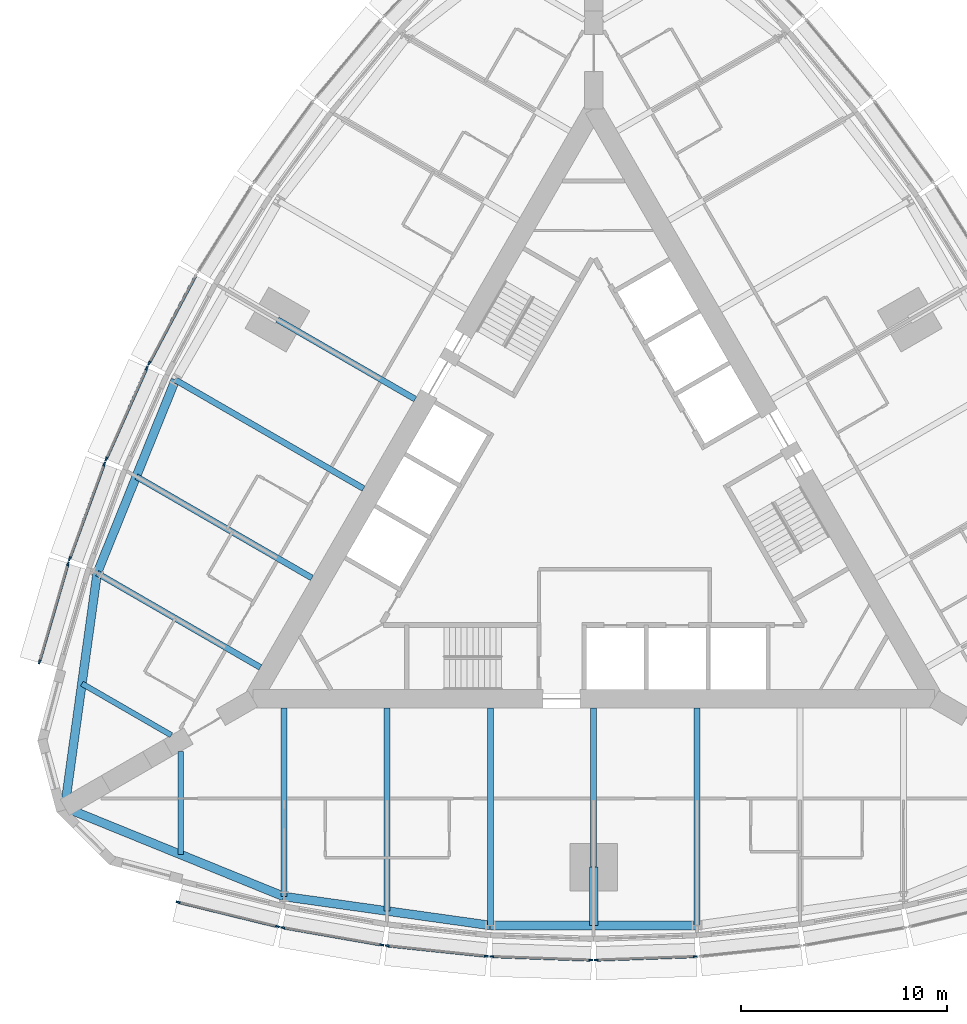
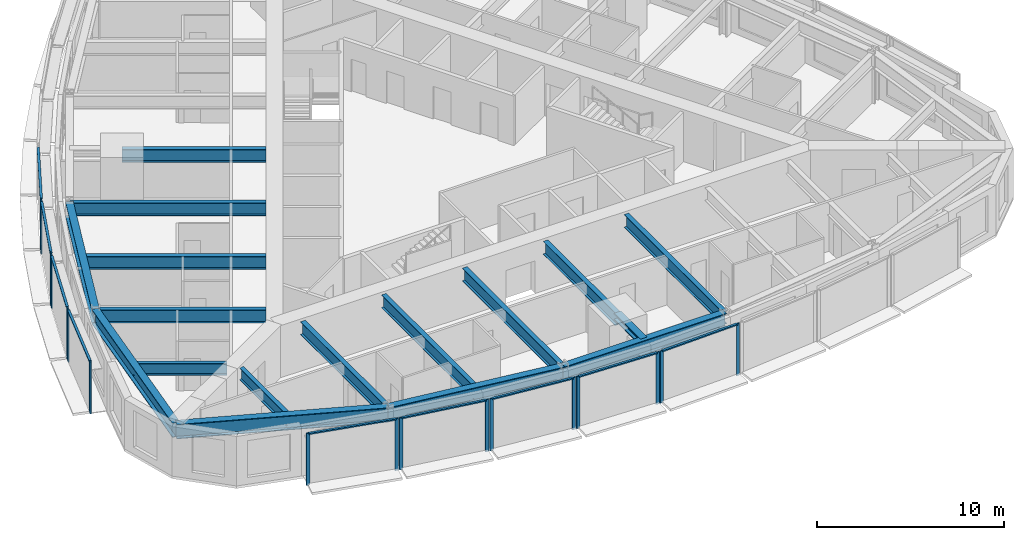
# One storey, part 2 of 14: 26 members, 17 beams, 9 elements without a shape of their own.
"""IFC4 building model written with IfcOpenShell, lengths in metres."""

from ifc_helpers import new_model, si_unit, direction, frame, origin, origin_2d, place, context, subcontext, project, spatial, rectangle, i_section, extrude, material, material_profile, profile_set, type_object, element, aggregate, save


model = new_model("IFC4")

# Units and contexts
model_context = context("Model", 3, precision=1e-05, world=origin(), true_north=direction((0.0, 1.0)))
body_context = subcontext(model_context, "Body", "Model", "MODEL_VIEW")
ifc_project = project(units=[si_unit("LENGTHUNIT", "METRE"), si_unit("AREAUNIT", "SQUARE_METRE"), si_unit("VOLUMEUNIT", "CUBIC_METRE"), si_unit("PLANEANGLEUNIT", "RADIAN"), si_unit("MASSUNIT", "GRAM", prefix="KILO")], contexts=[model_context])

# Site, building, storey
site_placement = place(None, origin())
site = spatial("IfcSite", under=ifc_project, at=site_placement, CompositionType="ELEMENT")
building_placement = place(site_placement, origin())
building = spatial("IfcBuilding", under=site, at=building_placement, Name="Trikona Tower", CompositionType="ELEMENT")
storey_placement = place(building_placement, frame((0.0, 0.0, 155.5)))
storey = spatial("IfcBuildingStorey", under=building, at=storey_placement, Name="L41", CompositionType="ELEMENT", Elevation=155.5)

# Curtain wall, members
ifc_material_1 = material(Name="Aluminium curtain wall system", Category="aluminium")
curtain_wall_type = type_object("IfcCurtainWallType", Name="Curtain wall DS2", PredefinedType="NOTDEFINED", material=ifc_material_1)
curtain_wall_1_placement = place(storey_placement, origin())
curtain_wall_1 = element("IfcCurtainWall", 1, at=curtain_wall_1_placement, inside=storey, type_object=curtain_wall_type, Name="Curtain wall DS2 L41", PredefinedType="NOTDEFINED")
ifc_material_2 = material(Name="Aluminium mullion, pale anodised", Category="aluminium")
ifc_material_profile_1 = material_profile(ifc_material_2, rectangle(XDim=0.080078125, YDim=0.199951171875, at=origin_2d()), Name="MUL-DS2")
ifc_profile_set_1 = profile_set([ifc_material_profile_1], Name="Aluminium mullion, pale anodised")
member_type_1 = type_object("IfcMemberType", Name="Mullion DS2 80x200", PredefinedType="MULLION", material=ifc_profile_set_1)
member_1_placement = place(storey_placement, frame((-20.116943359375, -19.373046875, 0.0), z_axis=(0.0, 0.0, 1.0), x_axis=(0.237970204243, 0.971272455026, 0.0)))
member_1 = element("IfcMember", 2, at=member_1_placement, type_object=member_type_1, Name="CW-DS2 mullion 1", PredefinedType="MULLION", context=body_context, shape_type="SweptSolid", body=[
    extrude(rectangle(XDim=0.080078125, YDim=0.199951171875, at=origin_2d()), origin(), (0.0, 0.0, 1.0), 3.39990234375),
])
member_2_placement = place(storey_placement, frame((-15.311279296875, -20.550537109375, 0.0), z_axis=(0.0, 0.0, 1.0), x_axis=(0.237970204243, 0.971272455026, 0.0)))
member_2 = element("IfcMember", 3, at=member_2_placement, type_object=member_type_1, Name="CW-DS2 mullion 2", PredefinedType="MULLION", context=body_context, shape_type="SweptSolid", body=[
    extrude(rectangle(XDim=0.080078125, YDim=0.199951171875, at=origin_2d()), origin(), (0.0, 0.0, 1.0), 3.39990234375),
])

curtain_wall_2_placement = place(storey_placement, origin())
curtain_wall_2 = element("IfcCurtainWall", 4, at=curtain_wall_2_placement, inside=storey, type_object=curtain_wall_type, Name="Curtain wall DS2 L41", PredefinedType="NOTDEFINED")
member_3_placement = place(storey_placement, frame((-15.056640625, -20.60400390625, 0.0), z_axis=(0.0, 0.0, 1.0), x_axis=(0.17237739505, 0.985030981074, 0.0)))
member_3 = element("IfcMember", 5, at=member_3_placement, type_object=member_type_1, Name="CW-DS2 mullion 1", PredefinedType="MULLION", context=body_context, shape_type="SweptSolid", body=[
    extrude(rectangle(XDim=0.080078125, YDim=0.199951171875, at=origin_2d()), origin(), (0.0, 0.0, 1.0), 3.39990234375),
])
member_4_placement = place(storey_placement, frame((-10.253662109375, -21.444580078125, 0.0), z_axis=(0.0, 0.0, 1.0), x_axis=(0.17237739505, 0.985030981074, 0.0)))
member_4 = element("IfcMember", 6, at=member_4_placement, type_object=member_type_1, Name="CW-DS2 mullion 2", PredefinedType="MULLION", context=body_context, shape_type="SweptSolid", body=[
    extrude(rectangle(XDim=0.080078125, YDim=0.199951171875, at=origin_2d()), origin(), (0.0, 0.0, 1.0), 3.39990234375),
])

curtain_wall_3_placement = place(storey_placement, origin())
curtain_wall_3 = element("IfcCurtainWall", 7, at=curtain_wall_3_placement, inside=storey, type_object=curtain_wall_type, Name="Curtain wall DS2 L41", PredefinedType="NOTDEFINED")
member_5_placement = place(storey_placement, frame((-9.99462890625, -21.480712890625, 0.0), z_axis=(0.0, 0.0, 1.0), x_axis=(0.104433387357, 0.994531883654, 0.0)))
member_5 = element("IfcMember", 8, at=member_5_placement, type_object=member_type_1, Name="CW-DS2 mullion 1", PredefinedType="MULLION", context=body_context, shape_type="SweptSolid", body=[
    extrude(rectangle(XDim=0.080078125, YDim=0.199951171875, at=origin_2d()), origin(), (0.0, 0.0, 1.0), 3.39990234375),
])
member_6_placement = place(storey_placement, frame((-5.193359375, -21.98486328125, 0.0), z_axis=(0.0, 0.0, 1.0), x_axis=(0.104433387357, 0.994531883654, 0.0)))
member_6 = element("IfcMember", 9, at=member_6_placement, type_object=member_type_1, Name="CW-DS2 mullion 2", PredefinedType="MULLION", context=body_context, shape_type="SweptSolid", body=[
    extrude(rectangle(XDim=0.080078125, YDim=0.199951171875, at=origin_2d()), origin(), (0.0, 0.0, 1.0), 3.39990234375),
])

curtain_wall_4_placement = place(storey_placement, origin())
curtain_wall_4 = element("IfcCurtainWall", 10, at=curtain_wall_4_placement, inside=storey, type_object=curtain_wall_type, Name="Curtain wall DS2 L41", PredefinedType="NOTDEFINED")
member_7_placement = place(storey_placement, frame((-4.931640625, -22.003173828125, 0.0), z_axis=(0.0, 0.0, 1.0), x_axis=(0.034998320052, 0.99938737114, 0.0)))
member_7 = element("IfcMember", 11, at=member_7_placement, type_object=member_type_1, Name="CW-DS2 mullion 1", PredefinedType="MULLION", context=body_context, shape_type="SweptSolid", body=[
    extrude(rectangle(XDim=0.080078125, YDim=0.199951171875, at=origin_2d()), origin(), (0.0, 0.0, 1.0), 3.39990234375),
])
member_8_placement = place(storey_placement, frame((-0.13134765625, -22.171142578125, 0.0), z_axis=(0.0, 0.0, 1.0), x_axis=(0.034998320052, 0.99938737114, 0.0)))
member_8 = element("IfcMember", 12, at=member_8_placement, type_object=member_type_1, Name="CW-DS2 mullion 2", PredefinedType="MULLION", context=body_context, shape_type="SweptSolid", body=[
    extrude(rectangle(XDim=0.080078125, YDim=0.199951171875, at=origin_2d()), origin(), (0.0, 0.0, 1.0), 3.39990234375),
])

curtain_wall_5_placement = place(storey_placement, origin())
curtain_wall_5 = element("IfcCurtainWall", 13, at=curtain_wall_5_placement, inside=storey, type_object=curtain_wall_type, Name="Curtain wall DS2 L41", PredefinedType="NOTDEFINED")
member_9_placement = place(storey_placement, frame((0.13134765625, -22.171142578125, 0.0), z_axis=(0.0, 0.0, 1.0), x_axis=(-0.034998320052, 0.99938737114, 0.0)))
member_9 = element("IfcMember", 14, at=member_9_placement, type_object=member_type_1, Name="CW-DS2 mullion 1", PredefinedType="MULLION", context=body_context, shape_type="SweptSolid", body=[
    extrude(rectangle(XDim=0.080078125, YDim=0.199951171875, at=origin_2d()), origin(), (0.0, 0.0, 1.0), 3.39990234375),
])
member_10_placement = place(storey_placement, frame((4.931640625, -22.003173828125, 0.0), z_axis=(0.0, 0.0, 1.0), x_axis=(-0.034998320052, 0.99938737114, 0.0)))
member_10 = element("IfcMember", 15, at=member_10_placement, type_object=member_type_1, Name="CW-DS2 mullion 2", PredefinedType="MULLION", context=body_context, shape_type="SweptSolid", body=[
    extrude(rectangle(XDim=0.080078125, YDim=0.199951171875, at=origin_2d()), origin(), (0.0, 0.0, 1.0), 3.39990234375),
])

# Curtain wall, member
curtain_wall_6_placement = place(storey_placement, origin())
curtain_wall_6 = element("IfcCurtainWall", 16, at=curtain_wall_6_placement, inside=storey, type_object=curtain_wall_type, Name="Curtain wall DS2 L41", PredefinedType="NOTDEFINED")
member_11_placement = place(storey_placement, frame((-21.52099609375, 6.730712890625, 0.0), z_axis=(0.0, 0.0, 1.0), x_axis=(0.882996107343, -0.469380308937, 0.0)))
member_11 = element("IfcMember", 17, at=member_11_placement, type_object=member_type_1, Name="CW-DS2 mullion 2", PredefinedType="MULLION", context=body_context, shape_type="SweptSolid", body=[
    extrude(rectangle(XDim=0.080078125, YDim=0.199951171875, at=origin_2d()), origin(), (0.0, 0.0, 1.0), 3.39990234375),
])

# Curtain wall, members
curtain_wall_7_placement = place(storey_placement, origin())
curtain_wall_7 = element("IfcCurtainWall", 18, at=curtain_wall_7_placement, inside=storey, type_object=curtain_wall_type, Name="Curtain wall DS2 L41", PredefinedType="NOTDEFINED")
member_12_placement = place(storey_placement, frame((-21.63623046875, 6.494873046875, 0.0), z_axis=(0.0, 0.0, 1.0), x_axis=(0.913501208767, -0.406836013132, 0.0)))
member_12 = element("IfcMember", 19, at=member_12_placement, type_object=member_type_1, Name="CW-DS2 mullion 1", PredefinedType="MULLION", context=body_context, shape_type="SweptSolid", body=[
    extrude(rectangle(XDim=0.080078125, YDim=0.199951171875, at=origin_2d()), origin(), (0.0, 0.0, 1.0), 3.39990234375),
])
member_13_placement = place(storey_placement, frame((-23.60009765625, 2.0849609375, 0.0), z_axis=(0.0, 0.0, 1.0), x_axis=(0.913501208767, -0.406836013132, 0.0)))
member_13 = element("IfcMember", 20, at=member_13_placement, type_object=member_type_1, Name="CW-DS2 mullion 2", PredefinedType="MULLION", context=body_context, shape_type="SweptSolid", body=[
    extrude(rectangle(XDim=0.080078125, YDim=0.199951171875, at=origin_2d()), origin(), (0.0, 0.0, 1.0), 3.39990234375),
])

curtain_wall_8_placement = place(storey_placement, origin())
curtain_wall_8 = element("IfcCurtainWall", 21, at=curtain_wall_8_placement, inside=storey, type_object=curtain_wall_type, Name="Curtain wall DS2 L41", PredefinedType="NOTDEFINED")
member_14_placement = place(storey_placement, frame((-23.6982421875, 1.84228515625, 0.0), z_axis=(0.0, 0.0, 1.0), x_axis=(0.939253790978, -0.343223420143, 0.0)))
member_14 = element("IfcMember", 22, at=member_14_placement, type_object=member_type_1, Name="CW-DS2 mullion 1", PredefinedType="MULLION", context=body_context, shape_type="SweptSolid", body=[
    extrude(rectangle(XDim=0.080078125, YDim=0.199951171875, at=origin_2d()), origin(), (0.0, 0.0, 1.0), 3.39990234375),
])
member_15_placement = place(storey_placement, frame((-25.371826171875, -2.737548828125, 0.0), z_axis=(0.0, 0.0, 1.0), x_axis=(0.939253790978, -0.343223420143, 0.0)))
member_15 = element("IfcMember", 23, at=member_15_placement, type_object=member_type_1, Name="CW-DS2 mullion 2", PredefinedType="MULLION", context=body_context, shape_type="SweptSolid", body=[
    extrude(rectangle(XDim=0.080078125, YDim=0.199951171875, at=origin_2d()), origin(), (0.0, 0.0, 1.0), 3.39990234375),
])

curtain_wall_9_placement = place(storey_placement, origin())
curtain_wall_9 = element("IfcCurtainWall", 24, at=curtain_wall_9_placement, inside=storey, type_object=curtain_wall_type, Name="Curtain wall DS2 L41", PredefinedType="NOTDEFINED")
member_16_placement = place(storey_placement, frame((-25.452880859375, -2.984619140625, 0.0), z_axis=(0.0, 0.0, 1.0), x_axis=(0.96013310152, -0.279543247757, 0.0)))
member_16 = element("IfcMember", 25, at=member_16_placement, type_object=member_type_1, Name="CW-DS2 mullion 1", PredefinedType="MULLION", context=body_context, shape_type="SweptSolid", body=[
    extrude(rectangle(XDim=0.080078125, YDim=0.199951171875, at=origin_2d()), origin(), (0.0, 0.0, 1.0), 3.39990234375),
])
member_17_placement = place(storey_placement, frame((-26.836181640625, -7.7353515625, 0.0), z_axis=(0.0, 0.0, 1.0), x_axis=(0.96013310152, -0.279543247757, 0.0)))
member_17 = element("IfcMember", 26, at=member_17_placement, type_object=member_type_1, Name="CW-DS2 mullion 2", PredefinedType="MULLION", context=body_context, shape_type="SweptSolid", body=[
    extrude(rectangle(XDim=0.080078125, YDim=0.199951171875, at=origin_2d()), origin(), (0.0, 0.0, 1.0), 3.39990234375),
])

# Beams
ifc_material_3 = material(Name="Steel ASTM A992 Grade 50", Category="steel")
ifc_material_profile_2 = material_profile(ifc_material_3, i_section(OverallWidth=0.419189453125, OverallDepth=0.45458984375, WebThickness=0.042236328125, FlangeThickness=0.067626953125, at=origin_2d()), Name="W14X370")
ifc_profile_set_2 = profile_set([ifc_material_profile_2], Name="Steel ASTM A992 Grade 50")
beam_type_1 = type_object("IfcBeamType", Name="Steel beam W14x370 (apex bracket)", PredefinedType="BEAM", material=ifc_profile_set_2)
beam_1_placement = place(storey_placement, frame((0.0, -17.680419921875, 3.0078125), z_axis=(0.0, -1.0, 0.0), x_axis=(1.0, 0.0, 0.0)))
element("IfcBeam", 27, at=beam_1_placement, inside=storey, type_object=beam_type_1, Name="Cantilever bracket L42 F1", PredefinedType="BEAM", context=body_context, shape_type="SweptSolid", body=[
    extrude(i_section(OverallWidth=0.419189453125, OverallDepth=0.45458984375, WebThickness=0.042236328125, FlangeThickness=0.067626953125, at=origin_2d()), origin(), (0.0, 0.0, 1.0), 2.81982421875),
])
ifc_material_4 = material(Name="Steel ASTM A992 Grade 50", Category="steel")
ifc_material_profile_3 = material_profile(ifc_material_4, i_section(OverallWidth=0.2666015625, OverallDepth=0.76953125, WebThickness=0.015625, FlangeThickness=0.025390625, at=origin_2d()), Name="W30X132")
ifc_profile_set_3 = profile_set([ifc_material_profile_3], Name="Steel ASTM A992 Grade 50")
beam_type_2 = type_object("IfcBeamType", Name="Steel beam W30x132 (wedge)", PredefinedType="BEAM", material=ifc_profile_set_3)
beam_2_placement = place(storey_placement, frame((-20.0, -12.066650390625, 2.85009765625), z_axis=(0.0, -1.0, 0.0), x_axis=(1.0, 0.0, 0.0)))
element("IfcBeam", 28, at=beam_2_placement, inside=storey, type_object=beam_type_2, Name="Floor beam L42 F1 u-20", PredefinedType="BEAM", context=body_context, shape_type="SweptSolid", body=[
    extrude(i_section(OverallWidth=0.2666015625, OverallDepth=0.76953125, WebThickness=0.015625, FlangeThickness=0.025390625, at=origin_2d()), origin(), (0.0, 0.0, 1.0), 5.00048828125),
])
beam_3_placement = place(storey_placement, frame((-20.449951171875, -11.287109375, 2.85009765625), z_axis=(-0.866038434829, 0.49997742889, 0.0), x_axis=(-0.49997742889, -0.866038434829, 0.0)))
element("IfcBeam", 29, at=beam_3_placement, inside=storey, type_object=beam_type_2, Name="Floor beam L42 F3 u20", PredefinedType="BEAM", context=body_context, shape_type="SweptSolid", body=[
    extrude(i_section(OverallWidth=0.2666015625, OverallDepth=0.76953125, WebThickness=0.015625, FlangeThickness=0.025390625, at=origin_2d()), origin(), (0.0, 0.0, 1.0), 5.000732421875),
])
ifc_material_5 = material(Name="Steel ASTM A992 Grade 50", Category="steel")
ifc_material_profile_4 = material_profile(ifc_material_5, i_section(OverallWidth=0.2919921875, OverallDepth=0.845703125, WebThickness=0.015380859375, FlangeThickness=0.0244140625, at=origin_2d()), Name="W33X141")
ifc_profile_set_4 = profile_set([ifc_material_profile_4], Name="Steel ASTM A992 Grade 50")
beam_type_3 = type_object("IfcBeamType", Name="Steel beam W33x141 (radial typ)", PredefinedType="BEAM", material=ifc_profile_set_4)
beam_4_placement = place(storey_placement, frame((-15.0, -9.976318359375, 2.81201171875), z_axis=(0.0, -1.0, 0.0), x_axis=(1.0, 0.0, 0.0)))
element("IfcBeam", 30, at=beam_4_placement, inside=storey, type_object=beam_type_3, Name="Floor beam L42 F1 u-15", PredefinedType="BEAM", context=body_context, shape_type="SweptSolid", body=[
    extrude(i_section(OverallWidth=0.2919921875, OverallDepth=0.845703125, WebThickness=0.015380859375, FlangeThickness=0.0244140625, at=origin_2d()), origin(), (0.0, 0.0, 1.0), 9.123779296875),
])
beam_5_placement = place(storey_placement, frame((-10.0, -9.976318359375, 2.81201171875), z_axis=(0.0, -1.0, 0.0), x_axis=(1.0, 0.0, 0.0)))
element("IfcBeam", 31, at=beam_5_placement, inside=storey, type_object=beam_type_3, Name="Floor beam L42 F1 u-10", PredefinedType="BEAM", context=body_context, shape_type="SweptSolid", body=[
    extrude(i_section(OverallWidth=0.2919921875, OverallDepth=0.845703125, WebThickness=0.015380859375, FlangeThickness=0.0244140625, at=origin_2d()), origin(), (0.0, 0.0, 1.0), 9.823974609375),
])
beam_6_placement = place(storey_placement, frame((-5.0, -9.976318359375, 2.81201171875), z_axis=(0.0, -1.0, 0.0), x_axis=(1.0, 0.0, 0.0)))
element("IfcBeam", 32, at=beam_6_placement, inside=storey, type_object=beam_type_3, Name="Floor beam L42 F1 u-5", PredefinedType="BEAM", context=body_context, shape_type="SweptSolid", body=[
    extrude(i_section(OverallWidth=0.2919921875, OverallDepth=0.845703125, WebThickness=0.015380859375, FlangeThickness=0.0244140625, at=origin_2d()), origin(), (0.0, 0.0, 1.0), 10.52392578125),
])
beam_7_placement = place(storey_placement, frame((0.0, -9.976318359375, 2.81201171875), z_axis=(0.0, -1.0, 0.0), x_axis=(1.0, 0.0, 0.0)))
element("IfcBeam", 33, at=beam_7_placement, inside=storey, type_object=beam_type_3, Name="Floor beam L42 F1 u0", PredefinedType="BEAM", context=body_context, shape_type="SweptSolid", body=[
    extrude(i_section(OverallWidth=0.2919921875, OverallDepth=0.845703125, WebThickness=0.015380859375, FlangeThickness=0.0244140625, at=origin_2d()), origin(), (0.0, 0.0, 1.0), 7.7041015625),
])
beam_8_placement = place(storey_placement, frame((5.0, -9.976318359375, 2.81201171875), z_axis=(0.0, -1.0, 0.0), x_axis=(1.0, 0.0, 0.0)))
element("IfcBeam", 34, at=beam_8_placement, inside=storey, type_object=beam_type_3, Name="Floor beam L42 F1 u5", PredefinedType="BEAM", context=body_context, shape_type="SweptSolid", body=[
    extrude(i_section(OverallWidth=0.2919921875, OverallDepth=0.845703125, WebThickness=0.015380859375, FlangeThickness=0.0244140625, at=origin_2d()), origin(), (0.0, 0.0, 1.0), 10.52392578125),
])
beam_9_placement = place(storey_placement, frame((-8.6396484375, 4.988037109375, 2.81201171875), z_axis=(-0.866017246294, 0.500014128921, 0.0), x_axis=(-0.500014128921, -0.866017246294, 0.0)))
element("IfcBeam", 35, at=beam_9_placement, inside=storey, type_object=beam_type_3, Name="Floor beam L42 F3 u0", PredefinedType="BEAM", context=body_context, shape_type="SweptSolid", body=[
    extrude(i_section(OverallWidth=0.2919921875, OverallDepth=0.845703125, WebThickness=0.015380859375, FlangeThickness=0.0244140625, at=origin_2d()), origin(), (0.0, 0.0, 1.0), 7.704345703125),
])
beam_10_placement = place(storey_placement, frame((-11.1396484375, 0.657958984375, 2.81201171875), z_axis=(-0.866026035623, 0.499998905622, 0.0), x_axis=(-0.499998905622, -0.866026035623, 0.0)))
element("IfcBeam", 36, at=beam_10_placement, inside=storey, type_object=beam_type_3, Name="Floor beam L42 F3 u5", PredefinedType="BEAM", context=body_context, shape_type="SweptSolid", body=[
    extrude(i_section(OverallWidth=0.2919921875, OverallDepth=0.845703125, WebThickness=0.015380859375, FlangeThickness=0.0244140625, at=origin_2d()), origin(), (0.0, 0.0, 1.0), 10.52392578125),
])
beam_11_placement = place(storey_placement, frame((-13.6396484375, -3.672119140625, 2.81201171875), z_axis=(-0.866020046725, 0.500009278584, 0.0), x_axis=(-0.500009278584, -0.866020046725, 0.0)))
element("IfcBeam", 37, at=beam_11_placement, inside=storey, type_object=beam_type_3, Name="Floor beam L42 F3 u10", PredefinedType="BEAM", context=body_context, shape_type="SweptSolid", body=[
    extrude(i_section(OverallWidth=0.2919921875, OverallDepth=0.845703125, WebThickness=0.015380859375, FlangeThickness=0.0244140625, at=origin_2d()), origin(), (0.0, 0.0, 1.0), 9.823974609375),
])
beam_12_placement = place(storey_placement, frame((-16.1396484375, -8.002197265625, 2.81201171875), z_axis=(-0.866024725532, 0.500001174766, 0.0), x_axis=(-0.500001174766, -0.866024725532, 0.0)))
element("IfcBeam", 38, at=beam_12_placement, inside=storey, type_object=beam_type_3, Name="Floor beam L42 F3 u15", PredefinedType="BEAM", context=body_context, shape_type="SweptSolid", body=[
    extrude(i_section(OverallWidth=0.2919921875, OverallDepth=0.845703125, WebThickness=0.015380859375, FlangeThickness=0.0244140625, at=origin_2d()), origin(), (0.0, 0.0, 1.0), 9.1240234375),
])
ifc_material_6 = material(Name="Steel ASTM A992 Grade 50", Category="steel")
ifc_material_profile_5 = material_profile(ifc_material_6, i_section(OverallWidth=0.424072265625, OverallDepth=0.947509765625, WebThickness=0.02392578125, FlangeThickness=0.042724609375, at=origin_2d()), Name="W36X302")
ifc_profile_set_5 = profile_set([ifc_material_profile_5], Name="Steel ASTM A992 Grade 50")
beam_type_4 = type_object("IfcBeamType", Name="Steel beam W36x302 (spandrel)", PredefinedType="SPANDREL", material=ifc_profile_set_5)
beam_13_placement = place(storey_placement, frame((-25.6103515625, -14.7861328125, 2.76123046875), z_axis=(0.926359695662, -0.376640032728, 0.0), x_axis=(0.376640032728, 0.926359695662, 0.0)))
element("IfcBeam", 39, at=beam_13_placement, inside=storey, type_object=beam_type_4, Name="Spandrel beam L42 F1-1", PredefinedType="SPANDREL", context=body_context, shape_type="SweptSolid", body=[
    extrude(i_section(OverallWidth=0.424072265625, OverallDepth=0.947509765625, WebThickness=0.02392578125, FlangeThickness=0.042724609375, at=origin_2d()), origin(), (0.0, 0.0, 1.0), 11.453857421875),
])
beam_14_placement = place(storey_placement, frame((-15.0, -19.10009765625, 2.76123046875), z_axis=(0.990339754644, -0.13866207258, 0.0), x_axis=(0.13866207258, 0.990339754644, 0.0)))
element("IfcBeam", 40, at=beam_14_placement, inside=storey, type_object=beam_type_4, Name="Spandrel beam L42 F1-2", PredefinedType="SPANDREL", context=body_context, shape_type="SweptSolid", body=[
    extrude(i_section(OverallWidth=0.424072265625, OverallDepth=0.947509765625, WebThickness=0.02392578125, FlangeThickness=0.042724609375, at=origin_2d()), origin(), (0.0, 0.0, 1.0), 10.09765625),
])
beam_15_placement = place(storey_placement, frame((-5.0, -20.500244140625, 2.76123046875), z_axis=(1.0, 0.0, 0.0), x_axis=(0.0, 1.0, 0.0)))
element("IfcBeam", 41, at=beam_15_placement, inside=storey, type_object=beam_type_4, Name="Spandrel beam L42 F1-3", PredefinedType="SPANDREL", context=body_context, shape_type="SweptSolid", body=[
    extrude(i_section(OverallWidth=0.424072265625, OverallDepth=0.947509765625, WebThickness=0.02392578125, FlangeThickness=0.042724609375, at=origin_2d()), origin(), (0.0, 0.0, 1.0), 10.0),
])
beam_16_placement = place(storey_placement, frame((-20.253662109375, 5.919921875, 2.76123046875), z_axis=(-0.375106193787, -0.926981846307, 0.0), x_axis=(0.926981846307, -0.375106193787, 0.0)))
element("IfcBeam", 42, at=beam_16_placement, inside=storey, type_object=beam_type_4, Name="Spandrel beam L42 F3-4", PredefinedType="SPANDREL", context=body_context, shape_type="SweptSolid", body=[
    extrude(i_section(OverallWidth=0.424072265625, OverallDepth=0.947509765625, WebThickness=0.02392578125, FlangeThickness=0.042724609375, at=origin_2d()), origin(), (0.0, 0.0, 1.0), 10.097412109375),
])
beam_17_placement = place(storey_placement, frame((-24.041259765625, -3.440185546875, 2.76123046875), z_axis=(-0.136991535842, -0.990572218017, 0.0), x_axis=(0.990572218017, -0.136991535842, 0.0)))
element("IfcBeam", 43, at=beam_17_placement, inside=storey, type_object=beam_type_4, Name="Spandrel beam L42 F3-5", PredefinedType="SPANDREL", context=body_context, shape_type="SweptSolid", body=[
    extrude(i_section(OverallWidth=0.424072265625, OverallDepth=0.947509765625, WebThickness=0.02392578125, FlangeThickness=0.042724609375, at=origin_2d()), origin(), (0.0, 0.0, 1.0), 11.453857421875),
])

# Member
ifc_material_7 = material(Name="Aluminium transom, pale anodised", Category="aluminium")
ifc_material_profile_6 = material_profile(ifc_material_7, rectangle(XDim=0.139892578125, YDim=0.080078125, at=origin_2d()), Name="TRN-DS2")
ifc_profile_set_6 = profile_set([ifc_material_profile_6], Name="Aluminium transom, pale anodised")
member_type_2 = type_object("IfcMemberType", Name="Transom DS2 80x140", PredefinedType="USERDEFINED", material=ifc_profile_set_6)
member_18_placement = place(storey_placement, frame((-20.078125, -19.382568359375, 3.360107421875), z_axis=(0.971270583303, -0.237977843528, 0.0), x_axis=(0.237977843528, 0.971270583303, 0.0)))
member_18 = element("IfcMember", 44, at=member_18_placement, type_object=member_type_2, Name="CW-DS2 transom 1.1", ObjectType="TRANSOM", PredefinedType="USERDEFINED", context=body_context, shape_type="SweptSolid", body=[
    extrude(rectangle(XDim=0.139892578125, YDim=0.080078125, at=origin_2d()), origin(), (0.0, 0.0, 1.0), 4.867919921875),
])

aggregate(curtain_wall_1, [member_1, member_2, member_18])

member_19_placement = place(storey_placement, frame((-15.01708984375, -20.61083984375, 3.360107421875), z_axis=(0.98503262804, -0.172367983387, 0.0), x_axis=(0.172367983387, 0.98503262804, 0.0)))
member_19 = element("IfcMember", 45, at=member_19_placement, type_object=member_type_2, Name="CW-DS2 transom 1.1", ObjectType="TRANSOM", PredefinedType="USERDEFINED", context=body_context, shape_type="SweptSolid", body=[
    extrude(rectangle(XDim=0.139892578125, YDim=0.080078125, at=origin_2d()), origin(), (0.0, 0.0, 1.0), 4.7958984375),
])

aggregate(curtain_wall_2, [member_3, member_4, member_19])

member_20_placement = place(storey_placement, frame((-9.954833984375, -21.48486328125, 3.360107421875), z_axis=(0.99453106441, -0.104441188822, 0.0), x_axis=(0.104441188822, 0.99453106441, 0.0)))
member_20 = element("IfcMember", 46, at=member_20_placement, type_object=member_type_2, Name="CW-DS2 transom 1.1", ObjectType="TRANSOM", PredefinedType="USERDEFINED", context=body_context, shape_type="SweptSolid", body=[
    extrude(rectangle(XDim=0.139892578125, YDim=0.080078125, at=origin_2d()), origin(), (0.0, 0.0, 1.0), 4.74755859375),
])

aggregate(curtain_wall_3, [member_5, member_6, member_20])

member_21_placement = place(storey_placement, frame((-4.8916015625, -22.00439453125, 3.360107421875), z_axis=(0.999385692759, -0.035046213908, 0.0), x_axis=(0.035046213908, 0.999385692759, 0.0)))
member_21 = element("IfcMember", 47, at=member_21_placement, type_object=member_type_2, Name="CW-DS2 transom 1.1", ObjectType="TRANSOM", PredefinedType="USERDEFINED", context=body_context, shape_type="SweptSolid", body=[
    extrude(rectangle(XDim=0.139892578125, YDim=0.080078125, at=origin_2d()), origin(), (0.0, 0.0, 1.0), 4.72314453125),
])

aggregate(curtain_wall_4, [member_7, member_8, member_21])

member_22_placement = place(storey_placement, frame((0.17138671875, -22.169921875, 3.360107421875), z_axis=(0.999385692759, 0.035046213908, 0.0), x_axis=(-0.035046213908, 0.999385692759, 0.0)))
member_22 = element("IfcMember", 48, at=member_22_placement, type_object=member_type_2, Name="CW-DS2 transom 1.1", ObjectType="TRANSOM", PredefinedType="USERDEFINED", context=body_context, shape_type="SweptSolid", body=[
    extrude(rectangle(XDim=0.139892578125, YDim=0.080078125, at=origin_2d()), origin(), (0.0, 0.0, 1.0), 4.72314453125),
])

aggregate(curtain_wall_5, [member_9, member_10, member_22])

member_23_placement = place(storey_placement, frame((-19.285400390625, 10.9365234375, 3.360107421875), z_axis=(-0.469364343408, -0.883004594063, 0.0), x_axis=(0.883004594063, -0.469364343408, 0.0)))
member_23 = element("IfcMember", 49, at=member_23_placement, type_object=member_type_2, Name="CW-DS2 transom 1.1", ObjectType="TRANSOM", PredefinedType="USERDEFINED", context=body_context, shape_type="SweptSolid", body=[
    extrude(rectangle(XDim=0.139892578125, YDim=0.080078125, at=origin_2d()), origin(), (0.0, 0.0, 1.0), 4.722900390625),
])

aggregate(curtain_wall_6, [member_11, member_23])

member_24_placement = place(storey_placement, frame((-21.65234375, 6.458251953125, 3.360107421875), z_axis=(-0.406839769607, -0.913499535778, 0.0), x_axis=(0.913499535778, -0.406839769607, 0.0)))
member_24 = element("IfcMember", 50, at=member_24_placement, type_object=member_type_2, Name="CW-DS2 transom 1.1", ObjectType="TRANSOM", PredefinedType="USERDEFINED", context=body_context, shape_type="SweptSolid", body=[
    extrude(rectangle(XDim=0.139892578125, YDim=0.080078125, at=origin_2d()), origin(), (0.0, 0.0, 1.0), 4.747314453125),
])

aggregate(curtain_wall_7, [member_12, member_13, member_24])

member_25_placement = place(storey_placement, frame((-23.712158203125, 1.8046875, 3.360107421875), z_axis=(-0.343205907674, -0.939260190223, 0.0), x_axis=(0.939260190223, -0.343205907674, 0.0)))
member_25 = element("IfcMember", 51, at=member_25_placement, type_object=member_type_2, Name="CW-DS2 transom 1.1", ObjectType="TRANSOM", PredefinedType="USERDEFINED", context=body_context, shape_type="SweptSolid", body=[
    extrude(rectangle(XDim=0.139892578125, YDim=0.080078125, at=origin_2d()), origin(), (0.0, 0.0, 1.0), 4.7958984375),
])

aggregate(curtain_wall_8, [member_14, member_15, member_25])

member_26_placement = place(storey_placement, frame((-25.464111328125, -3.023193359375, 3.360107421875), z_axis=(-0.279566628153, -0.960126293996, 0.0), x_axis=(0.960126293996, -0.279566628153, 0.0)))
member_26 = element("IfcMember", 52, at=member_26_placement, type_object=member_type_2, Name="CW-DS2 transom 1.1", ObjectType="TRANSOM", PredefinedType="USERDEFINED", context=body_context, shape_type="SweptSolid", body=[
    extrude(rectangle(XDim=0.139892578125, YDim=0.080078125, at=origin_2d()), origin(), (0.0, 0.0, 1.0), 4.86767578125),
])

aggregate(curtain_wall_9, [member_16, member_17, member_26])

save(model, "model.ifc")
